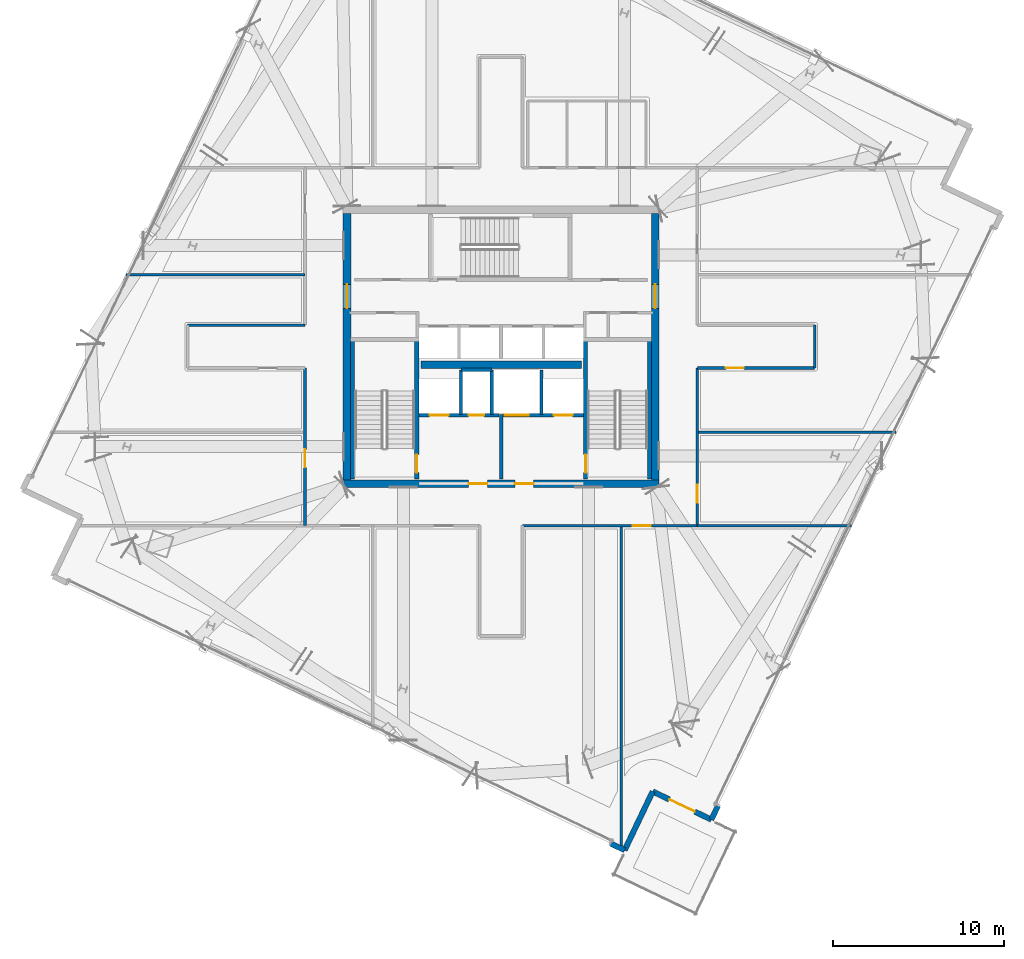
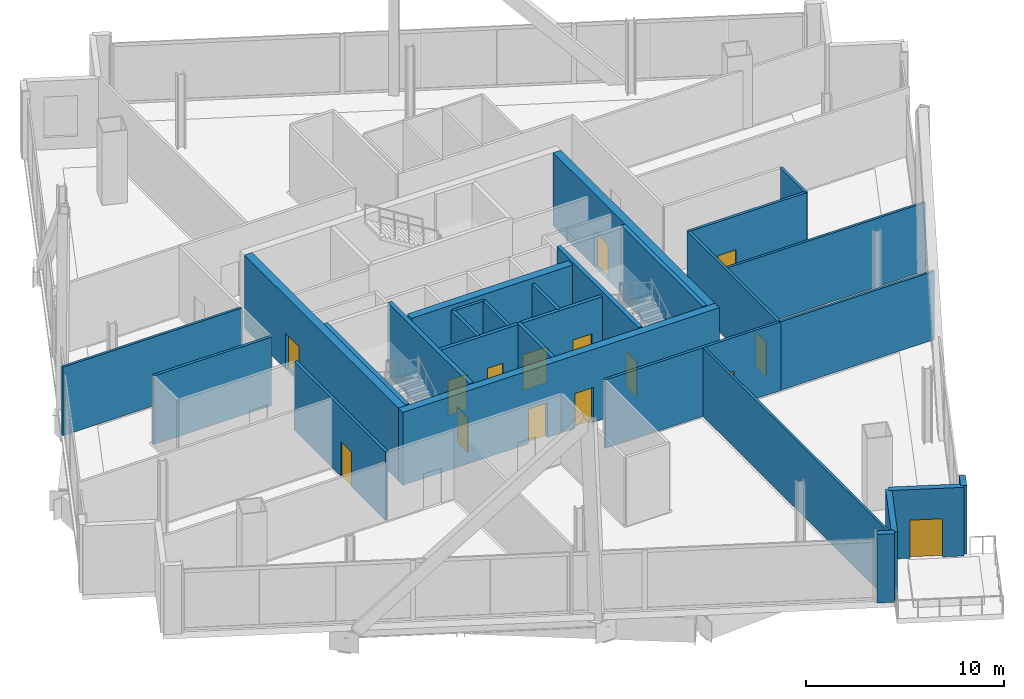
# One storey, part 17 of 24: 29 walls, 15 doors, 15 openings.
"""IFC4 building model written with IfcOpenShell, lengths in metres."""

from ifc_helpers import new_model, si_unit, direction, frame, frame_2d, origin, place, context, subcontext, project, spatial, rectangle, extrude, material, layer, layer_set, type_object, element, fill, save


model = new_model("IFC4")

# Units and contexts
model_context = context("Model", 3, precision=1e-05, world=origin(), true_north=direction((0.0, 1.0)))
body_context = subcontext(model_context, "Body", "Model", "MODEL_VIEW")
ifc_project = project(units=[si_unit("LENGTHUNIT", "METRE"), si_unit("AREAUNIT", "SQUARE_METRE"), si_unit("VOLUMEUNIT", "CUBIC_METRE"), si_unit("PLANEANGLEUNIT", "RADIAN"), si_unit("MASSUNIT", "GRAM", prefix="KILO")], contexts=[model_context])

# Site, building, storey
site_placement = place(None, origin())
site = spatial("IfcSite", under=ifc_project, at=site_placement, CompositionType="ELEMENT")
building_placement = place(site_placement, origin())
building = spatial("IfcBuilding", under=site, at=building_placement, Name="Haldenkirk Collegiate Tower", CompositionType="ELEMENT")
storey_placement = place(building_placement, frame((0.0, 0.0, 244.199951171875)))
storey = spatial("IfcBuildingStorey", under=building, at=storey_placement, Name="L61", CompositionType="ELEMENT", Elevation=244.199951171875)

# Wall, openings, doors
ifc_material_1 = material(Name="Concrete f'c 55 MPa", Category="concrete")
ifc_layer_1 = layer(ifc_material_1, 0.449951171875)
ifc_layer_set_1 = layer_set([ifc_layer_1], Name="Concrete f'c 55 MPa")
wall_type_1 = type_object("IfcWallType", Name="WL-CORE-450", PredefinedType="SHEAR", material=ifc_layer_set_1)
wall_1_placement = place(storey_placement, frame((26.77490234375, 18.0, 0.0), z_axis=(0.0, 0.0, 1.0), x_axis=(1.0, 0.0, 0.0)))
wall_1 = element("IfcWall", 1, at=wall_1_placement, inside=storey, type_object=wall_type_1, Name="L61 central core shear wall S", PredefinedType="SHEAR", context=body_context, shape_type="SweptSolid", body=[
    extrude(rectangle(XDim=18.4501953125, YDim=0.449951171875, at=frame_2d((9.22509765625, 0.0))), origin(), (0.0, 0.0, 1.0), 4.5),
])
opening_1_placement = place(wall_1_placement, frame((7.324951171875, 0.0, 0.0)))
opening_1 = element("IfcOpeningElement", 2, at=opening_1_placement, cuts=wall_1, Name="Opening D-02", PredefinedType="OPENING", context=body_context, shape_type="SweptSolid", body=[
    extrude(rectangle(XDim=1.10009765625, YDim=2.14990234375, at=frame_2d((0.550048828125, 1.074951171875))), frame((0.0, 0.23486328125, 0.0), z_axis=(0.0, -1.0, 0.0), x_axis=(1.0, 0.0, 0.0)), (0.0, 0.0, 1.0), 0.469970703125),
])
opening_2_placement = place(wall_1_placement, frame((10.02490234375, 0.0, 0.0)))
opening_2 = element("IfcOpeningElement", 3, at=opening_2_placement, cuts=wall_1, Name="Opening D-02", PredefinedType="OPENING", context=body_context, shape_type="SweptSolid", body=[
    extrude(rectangle(XDim=1.10009765625, YDim=2.14990234375, at=frame_2d((0.550048828125, 1.074951171875))), frame((0.0, 0.23486328125, 0.0), z_axis=(0.0, -1.0, 0.0), x_axis=(1.0, 0.0, 0.0)), (0.0, 0.0, 1.0), 0.469970703125),
])
ifc_material_2 = material(Name="Galvanized fire-rated hollow steel door", Category="steel")
ifc_layer_2 = layer(ifc_material_2, 0.06005859375)
ifc_layer_set_2 = layer_set([ifc_layer_2], Name="Galvanized fire-rated hollow steel door")
door_type_1 = type_object("IfcDoorType", Name="DR-STAIR-FD90-1100", OperationType="NOTDEFINED", PredefinedType="DOOR", material=ifc_layer_set_2)
door_1_placement = place(opening_1_placement, origin())
door_1 = element("IfcDoor", 4, at=door_1_placement, inside=storey, type_object=door_type_1, Name="L61 Firefighting Lobby 1 door", OperationType="SINGLE_SWING_LEFT", OverallHeight=2.14990234375, OverallWidth=1.10009765625, PredefinedType="DOOR", context=body_context, shape_type="SweptSolid", body=[
    extrude(rectangle(XDim=1.10009765625, YDim=2.14990234375, at=frame_2d((0.550048828125, 1.074951171875))), frame((0.0, 0.02490234375, 0.0), z_axis=(0.0, -1.0, 0.0), x_axis=(1.0, 0.0, 0.0)), (0.0, 0.0, 1.0), 0.050048828125),
])
fill(opening_1, door_1)
door_2_placement = place(opening_2_placement, origin())
door_2 = element("IfcDoor", 5, at=door_2_placement, inside=storey, type_object=door_type_1, Name="L61 Firefighting Lobby 2 door", OperationType="SINGLE_SWING_RIGHT", OverallHeight=2.14990234375, OverallWidth=1.10009765625, PredefinedType="DOOR", context=body_context, shape_type="SweptSolid", body=[
    extrude(rectangle(XDim=1.10009765625, YDim=2.14990234375, at=frame_2d((0.550048828125, 1.074951171875))), frame((0.0, 0.02490234375, 0.0), z_axis=(0.0, -1.0, 0.0), x_axis=(1.0, 0.0, 0.0)), (0.0, 0.0, 1.0), 0.050048828125),
])
fill(opening_2, door_2)

# Wall, opening, door
wall_2_placement = place(storey_placement, frame((27.0, 18.22509765625, 0.0), z_axis=(0.0, 0.0, 1.0), x_axis=(0.0, 1.0, 0.0)))
wall_2 = element("IfcWall", 6, at=wall_2_placement, inside=storey, type_object=wall_type_1, Name="L61 central core shear wall W", PredefinedType="SHEAR", context=body_context, shape_type="SweptSolid", body=[
    extrude(rectangle(XDim=15.5498046875, YDim=0.449951171875, at=frame_2d((7.77490234375, 0.0))), origin(), (0.0, 0.0, 1.0), 4.5),
])
opening_3_placement = place(wall_2_placement, frame((10.014892578125, 0.0, 0.0)))
opening_3 = element("IfcOpeningElement", 7, at=opening_3_placement, cuts=wall_2, Name="Opening D-03", PredefinedType="OPENING", context=body_context, shape_type="SweptSolid", body=[
    extrude(rectangle(XDim=1.39990234375, YDim=2.199951171875, at=frame_2d((0.699951171875, 1.10009765625))), frame((0.0, 0.23486328125, 0.0), z_axis=(0.0, -1.0, 0.0), x_axis=(1.0, 0.0, 0.0)), (0.0, 0.0, 1.0), 0.469970703125),
])
ifc_layer_3 = layer(ifc_material_2, 0.06005859375)
ifc_layer_set_3 = layer_set([ifc_layer_3], Name="Galvanized fire-rated hollow steel door")
door_type_2 = type_object("IfcDoorType", Name="DR-LOBBY-FD90-1400", OperationType="NOTDEFINED", PredefinedType="DOOR", material=ifc_layer_set_3)
door_3_placement = place(opening_3_placement, origin())
door_3 = element("IfcDoor", 8, at=door_3_placement, inside=storey, type_object=door_type_2, Name="L61 west lift lobby portal", OperationType="DOUBLE_DOOR_SINGLE_SWING", OverallHeight=2.199951171875, OverallWidth=1.39990234375, PredefinedType="DOOR", context=body_context, shape_type="SweptSolid", body=[
    extrude(rectangle(XDim=1.39990234375, YDim=2.199951171875, at=frame_2d((0.699951171875, 1.10009765625))), frame((0.0, 0.02490234375, 0.0), z_axis=(0.0, -1.0, 0.0), x_axis=(1.0, 0.0, 0.0)), (0.0, 0.0, 1.0), 0.050048828125),
])
fill(opening_3, door_3)

wall_3_placement = place(storey_placement, frame((45.0, 18.22509765625, 0.0), z_axis=(0.0, 0.0, 1.0), x_axis=(0.0, 1.0, 0.0)))
wall_3 = element("IfcWall", 9, at=wall_3_placement, inside=storey, type_object=wall_type_1, Name="L61 central core shear wall E", PredefinedType="SHEAR", context=body_context, shape_type="SweptSolid", body=[
    extrude(rectangle(XDim=15.5498046875, YDim=0.449951171875, at=frame_2d((7.77490234375, 0.0))), origin(), (0.0, 0.0, 1.0), 4.5),
])
opening_4_placement = place(wall_3_placement, frame((10.014892578125, 0.0, 0.0)))
opening_4 = element("IfcOpeningElement", 10, at=opening_4_placement, cuts=wall_3, Name="Opening D-03", PredefinedType="OPENING", context=body_context, shape_type="SweptSolid", body=[
    extrude(rectangle(XDim=1.39990234375, YDim=2.199951171875, at=frame_2d((0.699951171875, 1.10009765625))), frame((0.0, 0.23486328125, 0.0), z_axis=(0.0, -1.0, 0.0), x_axis=(1.0, 0.0, 0.0)), (0.0, 0.0, 1.0), 0.469970703125),
])
door_4_placement = place(opening_4_placement, origin())
door_4 = element("IfcDoor", 11, at=door_4_placement, inside=storey, type_object=door_type_2, Name="L61 east lift lobby portal", OperationType="DOUBLE_DOOR_SINGLE_SWING", OverallHeight=2.199951171875, OverallWidth=1.39990234375, PredefinedType="DOOR", context=body_context, shape_type="SweptSolid", body=[
    extrude(rectangle(XDim=1.39990234375, YDim=2.199951171875, at=frame_2d((0.699951171875, 1.10009765625))), frame((0.0, 0.02490234375, 0.0), z_axis=(0.0, -1.0, 0.0), x_axis=(1.0, 0.0, 0.0)), (0.0, 0.0, 1.0), 0.050048828125),
])
fill(opening_4, door_4)

# Walls
wall_4_placement = place(storey_placement, frame((31.31005859375, 24.949951171875, 0.0), z_axis=(0.0, 0.0, 1.0), x_axis=(1.0, 0.0, 0.0)))
element("IfcWall", 12, at=wall_4_placement, inside=storey, type_object=wall_type_1, Name="L61 central core spine shear wall", PredefinedType="SHEAR", context=body_context, shape_type="SweptSolid", body=[
    extrude(rectangle(XDim=9.3798828125, YDim=0.449951171875, at=frame_2d((4.68994140625, 0.0))), origin(), (0.0, 0.0, 1.0), 4.5),
])
ifc_material_3 = material(Name="Precast concrete f'c 40 MPa", Category="concrete")
ifc_layer_4 = layer(ifc_material_3, 0.320068359375)
ifc_layer_set_4 = layer_set([ifc_layer_4], Name="Precast concrete f'c 40 MPa")
wall_type_2 = type_object("IfcWallType", Name="WL-EXT-TWR-320", PredefinedType="STANDARD", material=ifc_layer_set_4)
wall_5_placement = place(storey_placement, frame((48.662109375, -0.80224609375, 0.0), z_axis=(0.0, 0.0, 1.0), x_axis=(-0.432069629268, -0.901840249414, 0.0)))
element("IfcWall", 13, at=wall_5_placement, inside=storey, type_object=wall_type_2, Name="L61 precast corner pier SR", PredefinedType="STANDARD", context=body_context, shape_type="SweptSolid", body=[
    extrude(rectangle(XDim=0.900146484375, YDim=0.320068359375, at=frame_2d((0.4501953125, 0.0))), origin(), (0.0, 0.0, 1.0), 4.22998046875),
])
wall_6_placement = place(storey_placement, frame((43.204345703125, -3.39892578125, 0.0), z_axis=(0.0, 0.0, 1.0), x_axis=(-0.901789596457, 0.432175339096, 0.0)))
element("IfcWall", 14, at=wall_6_placement, inside=storey, type_object=wall_type_2, Name="L61 precast corner pier WL", PredefinedType="STANDARD", context=body_context, shape_type="SweptSolid", body=[
    extrude(rectangle(XDim=0.89990234375, YDim=0.320068359375, at=frame_2d((0.449951171875, 0.0))), origin(), (0.0, 0.0, 1.0), 4.22998046875),
])
wall_7_placement = place(storey_placement, frame((44.84619140625, 0.028076171875, 0.0), z_axis=(0.0, 0.0, 1.0), x_axis=(-0.432064663211, -0.901842628624, 0.0)))
element("IfcWall", 15, at=wall_7_placement, inside=storey, type_object=wall_type_2, Name="L61 bronze precast notch wall 11", PredefinedType="STANDARD", context=body_context, shape_type="SweptSolid", body=[
    extrude(rectangle(XDim=3.800048828125, YDim=0.320068359375, at=frame_2d((1.89990234375, 0.0))), origin(), (0.0, 0.0, 1.0), 4.22998046875),
])

# Wall, opening, door
wall_8_placement = place(storey_placement, frame((48.273193359375, -1.614013671875, 0.0), z_axis=(0.0, 0.0, 1.0), x_axis=(-0.901817593476, 0.432116914848, 0.0)))
wall_8 = element("IfcWall", 16, at=wall_8_placement, inside=storey, type_object=wall_type_2, Name="L61 bronze precast notch wall 12", PredefinedType="STANDARD", context=body_context, shape_type="SweptSolid", body=[
    extrude(rectangle(XDim=3.800048828125, YDim=0.320068359375, at=frame_2d((1.89990234375, 0.0))), origin(), (0.0, 0.0, 1.0), 4.22998046875),
])
opening_5_placement = place(wall_8_placement, frame((1.074951171875, 0.0, 0.0)))
opening_5 = element("IfcOpeningElement", 17, at=opening_5_placement, cuts=wall_8, Name="Opening D-SG16", PredefinedType="OPENING", context=body_context, shape_type="SweptSolid", body=[
    extrude(rectangle(XDim=1.64990234375, YDim=2.35009765625, at=frame_2d((0.824951171875, 1.175048828125))), frame((0.0, 0.169921875, 0.0), z_axis=(0.0, -1.0, 0.0), x_axis=(1.0, 0.0, 0.0)), (0.0, 0.0, 1.0), 0.340087890625),
])
ifc_material_4 = material(Name="Anodised architectural bronze aluminium", Category="aluminium")
ifc_layer_5 = layer(ifc_material_4, 0.080078125)
ifc_layer_set_5 = layer_set([ifc_layer_5], Name="Anodised architectural bronze aluminium")
door_type_3 = type_object("IfcDoorType", Name="DR-EXT-SGAR-1650", OperationType="NOTDEFINED", PredefinedType="DOOR", material=ifc_layer_set_5)
door_5_placement = place(opening_5_placement, origin())
door_5 = element("IfcDoor", 18, at=door_5_placement, inside=storey, type_object=door_type_3, Name="L61 sky-garden door", OperationType="DOUBLE_DOOR_SINGLE_SWING", OverallHeight=2.35009765625, OverallWidth=1.64990234375, PredefinedType="DOOR", context=body_context, shape_type="SweptSolid", body=[
    extrude(rectangle(XDim=1.64990234375, YDim=2.35009765625, at=frame_2d((0.824951171875, 1.175048828125))), frame((0.0, 0.02490234375, 0.0), z_axis=(0.0, -1.0, 0.0), x_axis=(1.0, 0.0, 0.0)), (0.0, 0.0, 1.0), 0.050048828125),
])
fill(opening_5, door_5)

ifc_material_5 = material(Name="Acoustic fire-rated gypsum partition", Category="concrete")
ifc_layer_6 = layer(ifc_material_5, 0.159912109375)
ifc_layer_set_6 = layer_set([ifc_layer_6], Name="Acoustic fire-rated gypsum partition")
wall_type_3 = type_object("IfcWallType", Name="WL-INT-CORR-160", PredefinedType="PARTITIONING", material=ifc_layer_set_6)
wall_9_placement = place(storey_placement, frame((37.25, 15.550048828125, 0.0), z_axis=(0.0, 0.0, 1.0), x_axis=(1.0, 0.0, 0.0)))
wall_9 = element("IfcWall", 19, at=wall_9_placement, inside=storey, type_object=wall_type_3, Name="L61 interior partition IW-L61-CS2", PredefinedType="PARTITIONING", context=body_context, shape_type="SweptSolid", body=[
    extrude(rectangle(XDim=10.25, YDim=0.159912109375, at=frame_2d((5.125, 0.0))), origin(), (0.0, 0.0, 1.0), 4.22998046875),
])
opening_6_placement = place(wall_9_placement, frame((6.43896484375, 0.0, 0.0)))
opening_6 = element("IfcOpeningElement", 20, at=opening_6_placement, cuts=wall_9, Name="Opening D-09", PredefinedType="OPENING", context=body_context, shape_type="SweptSolid", body=[
    extrude(rectangle(XDim=1.050048828125, YDim=2.14990234375, at=frame_2d((0.52490234375, 1.074951171875))), frame((0.0, 0.08984375, 0.0), z_axis=(0.0, -1.0, 0.0), x_axis=(1.0, 0.0, 0.0)), (0.0, 0.0, 1.0), 0.179931640625),
])
ifc_material_6 = material(Name="Solid-core architectural oak fire door", Category="wood")
ifc_layer_7 = layer(ifc_material_6, 0.06005859375)
ifc_layer_set_7 = layer_set([ifc_layer_7], Name="Solid-core architectural oak fire door")
door_type_4 = type_object("IfcDoorType", Name="DR-INT-FD60-1050", OperationType="NOTDEFINED", PredefinedType="DOOR", material=ifc_layer_set_7)
door_6_placement = place(opening_6_placement, origin())
door_6 = element("IfcDoor", 21, at=door_6_placement, inside=storey, type_object=door_type_4, Name="L61 Research Office 3 door", OperationType="SINGLE_SWING_LEFT", OverallHeight=2.14990234375, OverallWidth=1.050048828125, PredefinedType="DOOR", context=body_context, shape_type="SweptSolid", body=[
    extrude(rectangle(XDim=1.050048828125, YDim=2.14990234375, at=frame_2d((0.52490234375, 1.074951171875))), frame((0.0, 0.02490234375, 0.0), z_axis=(0.0, -1.0, 0.0), x_axis=(1.0, 0.0, 0.0)), (0.0, 0.0, 1.0), 0.050048828125),
])
fill(opening_6, door_6)

wall_10_placement = place(storey_placement, frame((24.550048828125, 15.550048828125, 0.0), z_axis=(0.0, 0.0, 1.0), x_axis=(0.0, 1.0, 0.0)))
wall_10 = element("IfcWall", 22, at=wall_10_placement, inside=storey, type_object=wall_type_3, Name="L61 interior partition IW-L61-CW1", PredefinedType="PARTITIONING", context=body_context, shape_type="SweptSolid", body=[
    extrude(rectangle(XDim=9.199951171875, YDim=0.159912109375, at=frame_2d((4.60009765625, 0.0))), origin(), (0.0, 0.0, 1.0), 4.22998046875),
])
opening_7_placement = place(wall_10_placement, frame((3.406982421875, 0.0, 0.0)))
opening_7 = element("IfcOpeningElement", 23, at=opening_7_placement, cuts=wall_10, Name="Opening D-09", PredefinedType="OPENING", context=body_context, shape_type="SweptSolid", body=[
    extrude(rectangle(XDim=1.050048828125, YDim=2.14990234375, at=frame_2d((0.52490234375, 1.074951171875))), frame((0.0, 0.08984375, 0.0), z_axis=(0.0, -1.0, 0.0), x_axis=(1.0, 0.0, 0.0)), (0.0, 0.0, 1.0), 0.179931640625),
])
door_7_placement = place(opening_7_placement, origin())
door_7 = element("IfcDoor", 24, at=door_7_placement, inside=storey, type_object=door_type_4, Name="L61 Curator Office 6 door", OperationType="SINGLE_SWING_RIGHT", OverallHeight=2.14990234375, OverallWidth=1.050048828125, PredefinedType="DOOR", context=body_context, shape_type="SweptSolid", body=[
    extrude(rectangle(XDim=1.050048828125, YDim=2.14990234375, at=frame_2d((0.52490234375, 1.074951171875))), frame((0.0, 0.02490234375, 0.0), z_axis=(0.0, -1.0, 0.0), x_axis=(1.0, 0.0, 0.0)), (0.0, 0.0, 1.0), 0.050048828125),
])
fill(opening_7, door_7)

wall_11_placement = place(storey_placement, frame((47.449951171875, 15.550048828125, 0.0), z_axis=(0.0, 0.0, 1.0), x_axis=(0.0, 1.0, 0.0)))
wall_11 = element("IfcWall", 25, at=wall_11_placement, inside=storey, type_object=wall_type_3, Name="L61 interior partition IW-L61-CE1", PredefinedType="PARTITIONING", context=body_context, shape_type="SweptSolid", body=[
    extrude(rectangle(XDim=9.199951171875, YDim=0.159912109375, at=frame_2d((4.60009765625, 0.0))), origin(), (0.0, 0.0, 1.0), 4.22998046875),
])
opening_8_placement = place(wall_11_placement, frame((1.324951171875, 0.0, 0.0)))
opening_8 = element("IfcOpeningElement", 26, at=opening_8_placement, cuts=wall_11, Name="Opening D-09", PredefinedType="OPENING", context=body_context, shape_type="SweptSolid", body=[
    extrude(rectangle(XDim=1.050048828125, YDim=2.14990234375, at=frame_2d((0.52490234375, 1.074951171875))), frame((0.0, 0.08984375, 0.0), z_axis=(0.0, -1.0, 0.0), x_axis=(1.0, 0.0, 0.0)), (0.0, 0.0, 1.0), 0.179931640625),
])
door_8_placement = place(opening_8_placement, origin())
door_8 = element("IfcDoor", 27, at=door_8_placement, inside=storey, type_object=door_type_4, Name="L61 Research Office 9 door", OperationType="SINGLE_SWING_LEFT", OverallHeight=2.14990234375, OverallWidth=1.050048828125, PredefinedType="DOOR", context=body_context, shape_type="SweptSolid", body=[
    extrude(rectangle(XDim=1.050048828125, YDim=2.14990234375, at=frame_2d((0.52490234375, 1.074951171875))), frame((0.0, 0.02490234375, 0.0), z_axis=(0.0, -1.0, 0.0), x_axis=(1.0, 0.0, 0.0)), (0.0, 0.0, 1.0), 0.050048828125),
])
fill(opening_8, door_8)

# Wall
wall_12_placement = place(storey_placement, frame((17.699951171875, 27.25, 0.0), z_axis=(0.0, 0.0, 1.0), x_axis=(1.0, 0.0, 0.0)))
element("IfcWall", 28, at=wall_12_placement, inside=storey, type_object=wall_type_3, Name="L61 interior partition IW-L61-WPN", PredefinedType="PARTITIONING", context=body_context, shape_type="SweptSolid", body=[
    extrude(rectangle(XDim=6.85009765625, YDim=0.159912109375, at=frame_2d((3.425048828125, 0.0))), origin(), (0.0, 0.0, 1.0), 4.22998046875),
])

# Wall, opening, door
wall_13_placement = place(storey_placement, frame((47.449951171875, 24.75, 0.0), z_axis=(0.0, 0.0, 1.0), x_axis=(1.0, 0.0, 0.0)))
wall_13 = element("IfcWall", 29, at=wall_13_placement, inside=storey, type_object=wall_type_3, Name="L61 interior partition IW-L61-EPS", PredefinedType="PARTITIONING", context=body_context, shape_type="SweptSolid", body=[
    extrude(rectangle(XDim=6.85009765625, YDim=0.159912109375, at=frame_2d((3.425048828125, 0.0))), origin(), (0.0, 0.0, 1.0), 4.22998046875),
])
opening_9_placement = place(wall_13_placement, frame((1.6669921875, 0.0, 0.0)))
opening_9 = element("IfcOpeningElement", 30, at=opening_9_placement, cuts=wall_13, Name="Opening D-09", PredefinedType="OPENING", context=body_context, shape_type="SweptSolid", body=[
    extrude(rectangle(XDim=1.050048828125, YDim=2.14990234375, at=frame_2d((0.52490234375, 1.074951171875))), frame((0.0, 0.08984375, 0.0), z_axis=(0.0, -1.0, 0.0), x_axis=(1.0, 0.0, 0.0)), (0.0, 0.0, 1.0), 0.179931640625),
])
door_9_placement = place(opening_9_placement, origin())
door_9 = element("IfcDoor", 31, at=door_9_placement, inside=storey, type_object=door_type_4, Name="L61 Departmental Office 10 door", OperationType="SINGLE_SWING_RIGHT", OverallHeight=2.14990234375, OverallWidth=1.050048828125, PredefinedType="DOOR", context=body_context, shape_type="SweptSolid", body=[
    extrude(rectangle(XDim=1.050048828125, YDim=2.14990234375, at=frame_2d((0.52490234375, 1.074951171875))), frame((0.0, 0.02490234375, 0.0), z_axis=(0.0, -1.0, 0.0), x_axis=(1.0, 0.0, 0.0)), (0.0, 0.0, 1.0), 0.050048828125),
])
fill(opening_9, door_9)

# Walls
wall_14_placement = place(storey_placement, frame((54.300048828125, 24.75, 0.0), z_axis=(0.0, 0.0, 1.0), x_axis=(0.0, 1.0, 0.0)))
element("IfcWall", 32, at=wall_14_placement, inside=storey, type_object=wall_type_3, Name="L61 interior partition IW-L61-EPE", PredefinedType="PARTITIONING", context=body_context, shape_type="SweptSolid", body=[
    extrude(rectangle(XDim=2.5, YDim=0.159912109375, at=frame_2d((1.25, 0.0))), origin(), (0.0, 0.0, 1.0), 4.22998046875),
])
ifc_layer_8 = layer(ifc_material_5, 0.139892578125)
ifc_layer_set_8 = layer_set([ifc_layer_8], Name="Acoustic fire-rated gypsum partition")
wall_type_4 = type_object("IfcWallType", Name="WL-INT-DIV-140", PredefinedType="PARTITIONING", material=ifc_layer_set_8)
wall_15_placement = place(storey_placement, frame((47.449951171875, 15.550048828125, 0.0), z_axis=(0.0, 0.0, 1.0), x_axis=(1.0, 0.0, 0.0)))
element("IfcWall", 33, at=wall_15_placement, inside=storey, type_object=wall_type_4, Name="L61 interior partition IW-L61-BES", PredefinedType="PARTITIONING", context=body_context, shape_type="SweptSolid", body=[
    extrude(rectangle(XDim=9.00244140625, YDim=0.139892578125, at=frame_2d((4.501220703125, 0.0))), origin(), (0.0, 0.0, 1.0), 4.22998046875),
])
wall_16_placement = place(storey_placement, frame((43.0, -3.256591796875, 0.0), z_axis=(0.0, 0.0, 1.0), x_axis=(0.0, 1.0, 0.0)))
element("IfcWall", 34, at=wall_16_placement, inside=storey, type_object=wall_type_4, Name="L61 interior partition IW-L61-RS2", PredefinedType="PARTITIONING", context=body_context, shape_type="SweptSolid", body=[
    extrude(rectangle(XDim=18.806640625, YDim=0.139892578125, at=frame_2d((9.4033203125, 0.0))), origin(), (0.0, 0.0, 1.0), 4.22998046875),
])
wall_17_placement = place(storey_placement, frame((14.10546875, 30.199951171875, 0.0), z_axis=(0.0, 0.0, 1.0), x_axis=(1.0, 0.0, 0.0)))
element("IfcWall", 35, at=wall_17_placement, inside=storey, type_object=wall_type_4, Name="L61 interior partition IW-L61-RW2", PredefinedType="PARTITIONING", context=body_context, shape_type="SweptSolid", body=[
    extrude(rectangle(XDim=10.444580078125, YDim=0.139892578125, at=frame_2d((5.22216796875, 0.0))), origin(), (0.0, 0.0, 1.0), 4.22998046875),
])
wall_18_placement = place(storey_placement, frame((47.449951171875, 21.0, 0.0), z_axis=(0.0, 0.0, 1.0), x_axis=(1.0, 0.0, 0.0)))
element("IfcWall", 36, at=wall_18_placement, inside=storey, type_object=wall_type_4, Name="L61 interior partition IW-L61-RE1", PredefinedType="PARTITIONING", context=body_context, shape_type="SweptSolid", body=[
    extrude(rectangle(XDim=11.61376953125, YDim=0.139892578125, at=frame_2d((5.806884765625, 0.0))), origin(), (0.0, 0.0, 1.0), 4.22998046875),
])
ifc_material_7 = material(Name="Fire-rated gypsum shaftboard assembly", Category="concrete")
ifc_layer_9 = layer(ifc_material_7, 0.179931640625)
ifc_layer_set_9 = layer_set([ifc_layer_9], Name="Fire-rated gypsum shaftboard assembly")
wall_type_5 = type_object("IfcWallType", Name="WL-INT-SHAFT-180", PredefinedType="PARTITIONING", material=ifc_layer_set_9)
for number, where, z_axis, x_axis, name in (
    (37, (33.64990234375, 22.050048828125, 0.0), (0.0, 0.0, 1.0), (0.0, 1.0, 0.0), "L61 interior partition IW-L61-FL1E"),
    (38, (35.449951171875, 22.050048828125, 0.0), (0.0, 0.0, 1.0), (0.0, 1.0, 0.0), "L61 interior partition IW-L61-GL1W"),
):
    element("IfcWall", number, at=place(storey_placement, frame(where, z_axis=z_axis, x_axis=x_axis)), inside=storey, type_object=wall_type_5, Name=name, PredefinedType="PARTITIONING", context=body_context, shape_type="SweptSolid", body=[
        extrude(rectangle(XDim=2.599853515625, YDim=0.179931640625, at=frame_2d((1.2998046875, 0.0))), origin(), (0.0, 0.0, 1.0), 4.22998046875),
    ])
wall_19_placement = place(storey_placement, frame((33.64990234375, 24.64990234375, 0.0), z_axis=(0.0, 0.0, 1.0), x_axis=(1.0, 0.0, 0.0)))
element("IfcWall", 39, at=wall_19_placement, inside=storey, type_object=wall_type_5, Name="L61 interior partition IW-L61-RSRN", PredefinedType="PARTITIONING", context=body_context, shape_type="SweptSolid", body=[
    extrude(rectangle(XDim=1.800048828125, YDim=0.179931640625, at=frame_2d((0.89990234375, 0.0))), origin(), (0.0, 0.0, 1.0), 4.22998046875),
])
wall_20_placement = place(storey_placement, frame((38.35009765625, 22.050048828125, 0.0), z_axis=(0.0, 0.0, 1.0), x_axis=(0.0, 1.0, 0.0)))
element("IfcWall", 40, at=wall_20_placement, inside=storey, type_object=wall_type_5, Name="L61 interior partition IW-L61-GL1E", PredefinedType="PARTITIONING", context=body_context, shape_type="SweptSolid", body=[
    extrude(rectangle(XDim=2.599853515625, YDim=0.179931640625, at=frame_2d((1.2998046875, 0.0))), origin(), (0.0, 0.0, 1.0), 4.22998046875),
])
ifc_layer_10 = layer(ifc_material_7, 0.199951171875)
ifc_layer_set_10 = layer_set([ifc_layer_10], Name="Fire-rated gypsum shaftboard assembly")
wall_type_6 = type_object("IfcWallType", Name="WL-INT-SHAFT-200", PredefinedType="PARTITIONING", material=ifc_layer_set_10)
wall_21_placement = place(storey_placement, frame((36.0, 18.280029296875, 0.0), z_axis=(0.0, 0.0, 1.0), x_axis=(0.0, 1.0, 0.0)))
element("IfcWall", 41, at=wall_21_placement, inside=storey, type_object=wall_type_6, Name="L61 interior partition IW-L61-FFLM", PredefinedType="PARTITIONING", context=body_context, shape_type="SweptSolid", body=[
    extrude(rectangle(XDim=3.77001953125, YDim=0.199951171875, at=frame_2d((1.885009765625, 0.0))), origin(), (0.0, 0.0, 1.0), 4.22998046875),
])

# Wall, openings, doors
wall_22_placement = place(storey_placement, frame((31.18994140625, 22.0, 0.0), z_axis=(0.0, 0.0, 1.0), x_axis=(1.0, 0.0, 0.0)))
wall_22 = element("IfcWall", 42, at=wall_22_placement, inside=storey, type_object=wall_type_6, Name="L61 interior partition IW-L61-FFL1N", PredefinedType="PARTITIONING", context=body_context, shape_type="SweptSolid", body=[
    extrude(rectangle(XDim=4.68994140625, YDim=0.199951171875, at=frame_2d((2.344970703125, 0.0))), origin(), (0.0, 0.0, 1.0), 4.22998046875),
])
opening_10_placement = place(wall_22_placement, frame((2.909912109375, 0.0, 0.0)))
opening_10 = element("IfcOpeningElement", 43, at=opening_10_placement, cuts=wall_22, Name="Opening D-06", PredefinedType="OPENING", context=body_context, shape_type="SweptSolid", body=[
    extrude(rectangle(XDim=0.89990234375, YDim=2.14990234375, at=frame_2d((0.449951171875, 1.074951171875))), frame((0.0, 0.10986328125, 0.0), z_axis=(0.0, -1.0, 0.0), x_axis=(1.0, 0.0, 0.0)), (0.0, 0.0, 1.0), 0.219970703125),
])
opening_11_placement = place(wall_22_placement, frame((0.635009765625, 0.0, 0.0)))
opening_11 = element("IfcOpeningElement", 44, at=opening_11_placement, cuts=wall_22, Name="Opening LD-12", PredefinedType="OPENING", context=body_context, shape_type="SweptSolid", body=[
    extrude(rectangle(XDim=1.10009765625, YDim=2.14990234375, at=frame_2d((0.550048828125, 1.074951171875))), frame((0.0, 0.10986328125, 0.0), z_axis=(0.0, -1.0, 0.0), x_axis=(1.0, 0.0, 0.0)), (0.0, 0.0, 1.0), 0.219970703125),
])
ifc_layer_11 = layer(ifc_material_2, 0.06005859375)
ifc_layer_set_11 = layer_set([ifc_layer_11], Name="Galvanized fire-rated hollow steel door")
door_type_5 = type_object("IfcDoorType", Name="DR-INT-FD90-900", OperationType="NOTDEFINED", PredefinedType="DOOR", material=ifc_layer_set_11)
door_10_placement = place(opening_10_placement, origin())
door_10 = element("IfcDoor", 45, at=door_10_placement, inside=storey, type_object=door_type_5, Name="L61 electrical riser door", OperationType="SINGLE_SWING_LEFT", OverallHeight=2.14990234375, OverallWidth=0.89990234375, PredefinedType="DOOR", context=body_context, shape_type="SweptSolid", body=[
    extrude(rectangle(XDim=0.89990234375, YDim=2.14990234375, at=frame_2d((0.449951171875, 1.074951171875))), frame((0.0, 0.02490234375, 0.0), z_axis=(0.0, -1.0, 0.0), x_axis=(1.0, 0.0, 0.0)), (0.0, 0.0, 1.0), 0.050048828125),
])
fill(opening_10, door_10)
ifc_material_8 = material(Name="Brushed architectural stainless steel", Category="steel")
ifc_layer_12 = layer(ifc_material_8, 0.06005859375)
ifc_layer_set_12 = layer_set([ifc_layer_12], Name="Brushed architectural stainless steel")
door_type_6 = type_object("IfcDoorType", Name="LD-FIRE-1100", OperationType="NOTDEFINED", PredefinedType="DOOR", material=ifc_layer_set_12)
door_11_placement = place(opening_11_placement, origin())
door_11 = element("IfcDoor", 46, at=door_11_placement, inside=storey, type_object=door_type_6, Name="L61 Elevator FL1 sliding landing door", OperationType="SLIDING_TO_LEFT", OverallHeight=2.14990234375, OverallWidth=1.10009765625, PredefinedType="DOOR", context=body_context, shape_type="SweptSolid", body=[
    extrude(rectangle(XDim=1.10009765625, YDim=2.14990234375, at=frame_2d((0.550048828125, 1.074951171875))), frame((0.0, 0.02490234375, 0.0), z_axis=(0.0, -1.0, 0.0), x_axis=(1.0, 0.0, 0.0)), (0.0, 0.0, 1.0), 0.050048828125),
])
fill(opening_11, door_11)

wall_23_placement = place(storey_placement, frame((36.1201171875, 22.0, 0.0), z_axis=(0.0, 0.0, 1.0), x_axis=(1.0, 0.0, 0.0)))
wall_23 = element("IfcWall", 47, at=wall_23_placement, inside=storey, type_object=wall_type_6, Name="L61 interior partition IW-L61-FFL2N", PredefinedType="PARTITIONING", context=body_context, shape_type="SweptSolid", body=[
    extrude(rectangle(XDim=4.68994140625, YDim=0.199951171875, at=frame_2d((2.344970703125, 0.0))), origin(), (0.0, 0.0, 1.0), 4.22998046875),
])
opening_12_placement = place(wall_23_placement, frame((2.955078125, 0.0, 0.0)))
opening_12 = element("IfcOpeningElement", 48, at=opening_12_placement, cuts=wall_23, Name="Opening LD-12", PredefinedType="OPENING", context=body_context, shape_type="SweptSolid", body=[
    extrude(rectangle(XDim=1.10009765625, YDim=2.14990234375, at=frame_2d((0.550048828125, 1.074951171875))), frame((0.0, 0.10986328125, 0.0), z_axis=(0.0, -1.0, 0.0), x_axis=(1.0, 0.0, 0.0)), (0.0, 0.0, 1.0), 0.219970703125),
])
opening_13_placement = place(wall_23_placement, frame((0.080078125, 0.0, 0.0)))
opening_13 = element("IfcOpeningElement", 49, at=opening_13_placement, cuts=wall_23, Name="Opening LD-13", PredefinedType="OPENING", context=body_context, shape_type="SweptSolid", body=[
    extrude(rectangle(XDim=1.39990234375, YDim=2.199951171875, at=frame_2d((0.699951171875, 1.10009765625))), frame((0.0, 0.10986328125, 0.0), z_axis=(0.0, -1.0, 0.0), x_axis=(1.0, 0.0, 0.0)), (0.0, 0.0, 1.0), 0.219970703125),
])
door_12_placement = place(opening_12_placement, origin())
door_12 = element("IfcDoor", 50, at=door_12_placement, inside=storey, type_object=door_type_6, Name="L61 Elevator FL2 sliding landing door", OperationType="SLIDING_TO_LEFT", OverallHeight=2.14990234375, OverallWidth=1.10009765625, PredefinedType="DOOR", context=body_context, shape_type="SweptSolid", body=[
    extrude(rectangle(XDim=1.10009765625, YDim=2.14990234375, at=frame_2d((0.550048828125, 1.074951171875))), frame((0.0, 0.02490234375, 0.0), z_axis=(0.0, -1.0, 0.0), x_axis=(1.0, 0.0, 0.0)), (0.0, 0.0, 1.0), 0.050048828125),
])
fill(opening_12, door_12)
ifc_layer_13 = layer(ifc_material_8, 0.06005859375)
ifc_layer_set_13 = layer_set([ifc_layer_13], Name="Brushed architectural stainless steel")
door_type_7 = type_object("IfcDoorType", Name="LD-GOODS-1400", OperationType="NOTDEFINED", PredefinedType="DOOR", material=ifc_layer_set_13)
door_13_placement = place(opening_13_placement, origin())
door_13 = element("IfcDoor", 51, at=door_13_placement, inside=storey, type_object=door_type_7, Name="L61 Elevator GL1 sliding landing door", OperationType="SLIDING_TO_LEFT", OverallHeight=2.199951171875, OverallWidth=1.39990234375, PredefinedType="DOOR", context=body_context, shape_type="SweptSolid", body=[
    extrude(rectangle(XDim=1.39990234375, YDim=2.199951171875, at=frame_2d((0.699951171875, 1.10009765625))), frame((0.0, 0.02490234375, 0.0), z_axis=(0.0, -1.0, 0.0), x_axis=(1.0, 0.0, 0.0)), (0.0, 0.0, 1.0), 0.050048828125),
])
fill(opening_13, door_13)

# Wall, opening, door
ifc_layer_14 = layer(ifc_material_1, 0.239990234375)
ifc_layer_set_14 = layer_set([ifc_layer_14], Name="Concrete f'c 55 MPa")
wall_type_7 = type_object("IfcWallType", Name="WL-SHAFT-240", PredefinedType="SHEAR", material=ifc_layer_set_14)
wall_24_placement = place(storey_placement, frame((31.070068359375, 18.280029296875, 0.0), z_axis=(0.0, 0.0, 1.0), x_axis=(0.0, 1.0, 0.0)))
wall_24 = element("IfcWall", 52, at=wall_24_placement, inside=storey, type_object=wall_type_7, Name="L61 stair shaft shear wall SW-L61-ST1E", PredefinedType="SHEAR", context=body_context, shape_type="SweptSolid", body=[
    extrude(rectangle(XDim=8.260009765625, YDim=0.239990234375, at=frame_2d((4.1298828125, 0.0))), origin(), (0.0, 0.0, 1.0), 4.5),
])
opening_14_placement = place(wall_24_placement, frame((0.364990234375, 0.0, 0.0)))
opening_14 = element("IfcOpeningElement", 53, at=opening_14_placement, cuts=wall_24, Name="Opening D-01", PredefinedType="OPENING", context=body_context, shape_type="SweptSolid", body=[
    extrude(rectangle(XDim=1.050048828125, YDim=2.14990234375, at=frame_2d((0.52490234375, 1.074951171875))), frame((0.0, 0.1298828125, 0.0), z_axis=(0.0, -1.0, 0.0), x_axis=(1.0, 0.0, 0.0)), (0.0, 0.0, 1.0), 0.260009765625),
])
ifc_layer_15 = layer(ifc_material_2, 0.06005859375)
ifc_layer_set_15 = layer_set([ifc_layer_15], Name="Galvanized fire-rated hollow steel door")
door_type_8 = type_object("IfcDoorType", Name="DR-STAIR-FD90-1050", OperationType="NOTDEFINED", PredefinedType="DOOR", material=ifc_layer_set_15)
door_14_placement = place(opening_14_placement, origin())
door_14 = element("IfcDoor", 54, at=door_14_placement, inside=storey, type_object=door_type_8, Name="L61 Stair 1 door", OperationType="SINGLE_SWING_LEFT", OverallHeight=2.14990234375, OverallWidth=1.050048828125, PredefinedType="DOOR", context=body_context, shape_type="SweptSolid", body=[
    extrude(rectangle(XDim=1.050048828125, YDim=2.14990234375, at=frame_2d((0.52490234375, 1.074951171875))), frame((0.0, 0.02490234375, 0.0), z_axis=(0.0, -1.0, 0.0), x_axis=(1.0, 0.0, 0.0)), (0.0, 0.0, 1.0), 0.050048828125),
])
fill(opening_14, door_14)

# Wall
wall_25_placement = place(storey_placement, frame((27.330078125, 18.280029296875, 0.0), z_axis=(0.0, 0.0, 1.0), x_axis=(0.0, 1.0, 0.0)))
element("IfcWall", 55, at=wall_25_placement, inside=storey, type_object=wall_type_7, Name="L61 stair shaft shear wall SW-L61-ST1W", PredefinedType="SHEAR", context=body_context, shape_type="SweptSolid", body=[
    extrude(rectangle(XDim=8.260009765625, YDim=0.239990234375, at=frame_2d((4.1298828125, 0.0))), origin(), (0.0, 0.0, 1.0), 4.5),
])

# Wall, opening, door
wall_26_placement = place(storey_placement, frame((40.929931640625, 18.280029296875, 0.0), z_axis=(0.0, 0.0, 1.0), x_axis=(0.0, 1.0, 0.0)))
wall_26 = element("IfcWall", 56, at=wall_26_placement, inside=storey, type_object=wall_type_7, Name="L61 stair shaft shear wall SW-L61-ST2W", PredefinedType="SHEAR", context=body_context, shape_type="SweptSolid", body=[
    extrude(rectangle(XDim=8.260009765625, YDim=0.239990234375, at=frame_2d((4.1298828125, 0.0))), origin(), (0.0, 0.0, 1.0), 4.5),
])
opening_15_placement = place(wall_26_placement, frame((0.364990234375, 0.0, 0.0)))
opening_15 = element("IfcOpeningElement", 57, at=opening_15_placement, cuts=wall_26, Name="Opening D-01", PredefinedType="OPENING", context=body_context, shape_type="SweptSolid", body=[
    extrude(rectangle(XDim=1.050048828125, YDim=2.14990234375, at=frame_2d((0.52490234375, 1.074951171875))), frame((0.0, 0.1298828125, 0.0), z_axis=(0.0, -1.0, 0.0), x_axis=(1.0, 0.0, 0.0)), (0.0, 0.0, 1.0), 0.260009765625),
])
door_15_placement = place(opening_15_placement, origin())
door_15 = element("IfcDoor", 58, at=door_15_placement, inside=storey, type_object=door_type_8, Name="L61 Stair 2 door", OperationType="SINGLE_SWING_RIGHT", OverallHeight=2.14990234375, OverallWidth=1.050048828125, PredefinedType="DOOR", context=body_context, shape_type="SweptSolid", body=[
    extrude(rectangle(XDim=1.050048828125, YDim=2.14990234375, at=frame_2d((0.52490234375, 1.074951171875))), frame((0.0, 0.02490234375, 0.0), z_axis=(0.0, -1.0, 0.0), x_axis=(1.0, 0.0, 0.0)), (0.0, 0.0, 1.0), 0.050048828125),
])
fill(opening_15, door_15)

# Wall
wall_27_placement = place(storey_placement, frame((44.669921875, 18.280029296875, 0.0), z_axis=(0.0, 0.0, 1.0), x_axis=(0.0, 1.0, 0.0)))
element("IfcWall", 59, at=wall_27_placement, inside=storey, type_object=wall_type_7, Name="L61 stair shaft shear wall SW-L61-ST2E", PredefinedType="SHEAR", context=body_context, shape_type="SweptSolid", body=[
    extrude(rectangle(XDim=8.260009765625, YDim=0.239990234375, at=frame_2d((4.1298828125, 0.0))), origin(), (0.0, 0.0, 1.0), 4.5),
])

save(model, "model.ifc")
